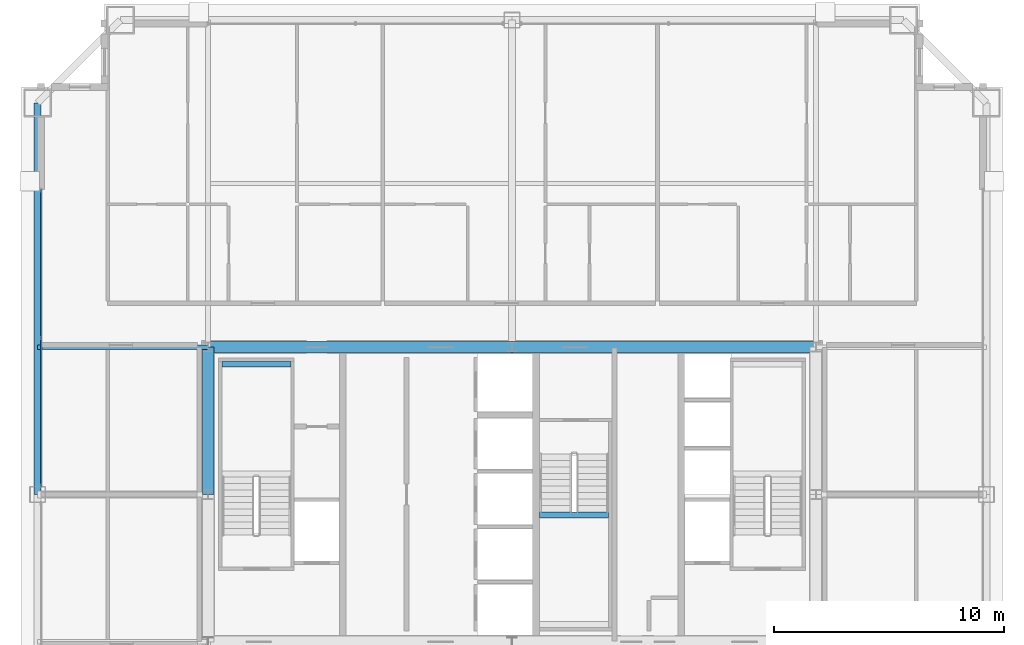
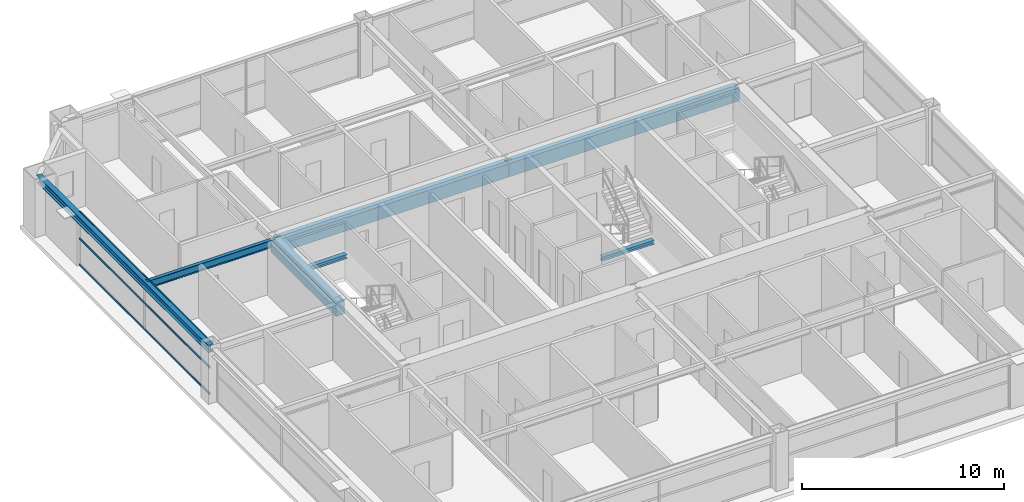
# One storey, part 14 of 37: 7 beams, 3 members, 1 element without a shape of its own.
"""IFC4 building model written with IfcOpenShell, lengths in metres."""

from ifc_helpers import new_model, si_unit, direction, frame, origin, origin_2d, place, context, subcontext, project, spatial, rectangle, hollow_rectangle, i_section, extrude, source, transform, mapped, material, layer, layer_set, material_profile, profile_set, type_object, element, aggregate, save


model = new_model("IFC4")

# Units and contexts
model_context = context("Model", 3, precision=1e-05, world=origin(), true_north=direction((0.0, 1.0)))
body_context = subcontext(model_context, "Body", "Model", "MODEL_VIEW")
ifc_project = project(units=[si_unit("LENGTHUNIT", "METRE"), si_unit("AREAUNIT", "SQUARE_METRE"), si_unit("VOLUMEUNIT", "CUBIC_METRE"), si_unit("PLANEANGLEUNIT", "RADIAN"), si_unit("MASSUNIT", "GRAM", prefix="KILO"), si_unit("THERMODYNAMICTEMPERATUREUNIT", "KELVIN"), si_unit("POWERUNIT", "WATT")], contexts=[model_context])

# Site, building, storey
site_placement = place(None, origin())
site = spatial("IfcSite", under=ifc_project, at=site_placement, CompositionType="ELEMENT")
building_placement = place(site_placement, origin())
building = spatial("IfcBuilding", under=site, at=building_placement, Name="Yuzanri Waterfront Tower", CompositionType="ELEMENT")
storey_placement = place(building_placement, frame((0.0, 0.0, 245.10009765625)))
storey = spatial("IfcBuildingStorey", under=building, at=storey_placement, Name="L65", CompositionType="ELEMENT", Elevation=245.10009765625)

# Beams
ifc_material_1 = material(Name="Concrete C50", Category="concrete")
ifc_material_profile_1 = material_profile(ifc_material_1, rectangle(XDim=0.5, YDim=0.800048828125, at=origin_2d()), Name="RC 500x800")
ifc_profile_set_1 = profile_set([ifc_material_profile_1], Name="Concrete C50")
beam_type_1 = type_object("IfcBeamType", Name="Core Coupling Lintel Concrete C50 500x800", PredefinedType="LINTEL", material=ifc_profile_set_1)
shared_shape_1 = source(origin(), body_context, "Body", "SweptSolid", [
    extrude(rectangle(XDim=0.5, YDim=0.800048828125, at=origin_2d()), origin(), (0.0, 0.0, 1.0), 13.199951171875),
])
for number, where, z_axis, x_axis, name in (
    (1, (23.800048828125, 32.199951171875, 2.8798828125), (1.0, 0.0, 0.0), (0.0, 1.0, 0.0), "L65 Core Tie Beam CN1"),
    (2, (37.0, 32.199951171875, 2.8798828125), (1.0, 0.0, 0.0), (0.0, 1.0, 0.0), "L65 Core Tie Beam CN2"),
):
    element("IfcBeam", number, at=place(storey_placement, frame(where, z_axis=z_axis, x_axis=x_axis)), inside=storey, type_object=beam_type_1, Name=name, PredefinedType="LINTEL", context=body_context, shape_type="MappedRepresentation", body=[
        mapped(shared_shape_1, transform((0.0, 0.0, 0.0), scale=1.0)),
    ])
shared_shape_2 = source(origin(), body_context, "Body", "SweptSolid", [
    extrude(rectangle(XDim=0.5, YDim=0.800048828125, at=origin_2d()), origin(), (0.0, 0.0, 1.0), 6.39990234375),
])
beam_1_placement = place(storey_placement, frame((23.800048828125, 25.800048828125, 2.8798828125), z_axis=(0.0, 1.0, 0.0), x_axis=(-1.0, 0.0, 0.0)))
element("IfcBeam", 3, at=beam_1_placement, inside=storey, type_object=beam_type_1, Name="L65 Core Tie Beam CW2", PredefinedType="LINTEL", context=body_context, shape_type="MappedRepresentation", body=[
    mapped(shared_shape_2, transform((0.0, 0.0, 0.0), scale=1.0)),
])
ifc_material_2 = material(Name="Steel Q355B", Category="steel")
ifc_material_profile_2 = material_profile(ifc_material_2, i_section(OverallWidth=0.300048828125, OverallDepth=0.43994140625, WebThickness=0.010986328125, FlangeThickness=0.01806640625, at=origin_2d()), Name="HM 440x300x11x18")
ifc_profile_set_2 = profile_set([ifc_material_profile_2], Name="Steel Q355B")
beam_type_2 = type_object("IfcBeamType", Name="Perimeter Spandrel Q355B HM 440x300", PredefinedType="SPANDREL", material=ifc_profile_set_2)
shared_shape_3 = source(origin(), body_context, "Body", "SweptSolid", [
    extrude(i_section(OverallWidth=0.300048828125, OverallDepth=0.43994140625, WebThickness=0.010986328125, FlangeThickness=0.01806640625, at=origin_2d()), origin(), (0.0, 0.0, 1.0), 17.0),
])
beam_2_placement = place(storey_placement, frame((16.39990234375, 42.800048828125, 3.059814453125), z_axis=(0.0, -1.0, 0.0), x_axis=(1.0, 0.0, 0.0)))
element("IfcBeam", 4, at=beam_2_placement, inside=storey, type_object=beam_type_2, Name="L65 Perimeter Spandrel W3-W2", PredefinedType="SPANDREL", context=body_context, shape_type="MappedRepresentation", body=[
    mapped(shared_shape_3, transform((0.0, 0.0, 0.0), scale=1.0)),
])
ifc_material_3 = material(Name="Steel Q355B", Category="steel")
ifc_material_profile_3 = material_profile(ifc_material_3, i_section(OverallWidth=0.199951171875, OverallDepth=0.449951171875, WebThickness=0.009033203125, FlangeThickness=0.013916015625, at=origin_2d()), Name="HN 450x200x9x14")
ifc_profile_set_3 = profile_set([ifc_material_profile_3], Name="Steel Q355B")
beam_type_3 = type_object("IfcBeamType", Name="Secondary Floor Beam Q355B HN 450x200", PredefinedType="BEAM", material=ifc_profile_set_3)
shared_shape_4 = source(origin(), body_context, "Body", "SweptSolid", [
    extrude(i_section(OverallWidth=0.199951171875, OverallDepth=0.449951171875, WebThickness=0.009033203125, FlangeThickness=0.013916015625, at=origin_2d()), origin(), (0.0, 0.0, 1.0), 7.400146484375),
])
beam_3_placement = place(storey_placement, frame((23.800048828125, 32.199951171875, 3.054931640625), z_axis=(-1.0, 0.0, 0.0), x_axis=(0.0, -1.0, 0.0)))
element("IfcBeam", 5, at=beam_3_placement, inside=storey, type_object=beam_type_3, Name="L65 West-North Core Line Beam", PredefinedType="BEAM", context=body_context, shape_type="MappedRepresentation", body=[
    mapped(shared_shape_4, transform((0.0, 0.0, 0.0), scale=1.0)),
])

# Curtain wall, members
ifc_material_4 = material(Name="Anodized Architectural Bronze", Category="metal")
ifc_layer = layer(ifc_material_4, 0.159912109375)
ifc_layer_set = layer_set([ifc_layer], Name="Anodized Architectural Bronze")
curtain_wall_type = type_object("IfcCurtainWallType", Name="Anodized Bronze Mid-Rise Residential Acoustic Unitized Curtain Wall 7200", PredefinedType="NOTDEFINED", material=ifc_layer_set)
curtain_wall_placement = place(storey_placement, origin())
curtain_wall = element("IfcCurtainWall", 6, at=curtain_wall_placement, inside=storey, type_object=curtain_wall_type, Name="L65 Curtain Wall CW-L65-WR", PredefinedType="NOTDEFINED")
ifc_material_5 = material(Name="Anodized Architectural Bronze", Category="metal")
ifc_material_profile_4 = material_profile(ifc_material_5, hollow_rectangle(XDim=0.06494140625, YDim=0.1201171875, WallThickness=0.00341796875, at=origin_2d()), Name="CWT 65x120")
ifc_profile_set_4 = profile_set([ifc_material_profile_4], Name="Anodized Architectural Bronze")
member_type = type_object("IfcMemberType", Name="Anodized Bronze Secondary Curtain-Wall Transom 65x120", PredefinedType="USERDEFINED", material=ifc_profile_set_4)
shared_shape_5 = source(origin(), body_context, "Body", "SweptSolid", [
    extrude(hollow_rectangle(XDim=0.06494140625, YDim=0.1201171875, WallThickness=0.00341796875, at=origin_2d()), origin(), (0.0, 0.0, 1.0), 12.900146484375),
])
member_1_placement = place(storey_placement, frame((16.550048828125, 26.14990234375, 0.0498046875), z_axis=(0.0, 1.0, 0.0), x_axis=(-1.0, 0.0, 0.0)))
member_1 = element("IfcMember", 7, at=member_1_placement, type_object=member_type, Name="CW-L65-WR Transom 1", ObjectType="TRANSOM", PredefinedType="USERDEFINED", context=body_context, shape_type="MappedRepresentation", body=[
    mapped(shared_shape_5, transform((0.0, 0.0, 0.0), scale=1.0)),
])
member_2_placement = place(storey_placement, frame((16.550048828125, 26.14990234375, 1.639892578125), z_axis=(0.0, 1.0, 0.0), x_axis=(-1.0, 0.0, 0.0)))
member_2 = element("IfcMember", 8, at=member_2_placement, type_object=member_type, Name="CW-L65-WR Transom 2", ObjectType="TRANSOM", PredefinedType="USERDEFINED", context=body_context, shape_type="MappedRepresentation", body=[
    mapped(shared_shape_5, transform((0.0, 0.0, 0.0), scale=1.0)),
])
member_3_placement = place(storey_placement, frame((16.550048828125, 26.14990234375, 3.22998046875), z_axis=(0.0, 1.0, 0.0), x_axis=(-1.0, 0.0, 0.0)))
member_3 = element("IfcMember", 9, at=member_3_placement, type_object=member_type, Name="CW-L65-WR Transom 3", ObjectType="TRANSOM", PredefinedType="USERDEFINED", context=body_context, shape_type="MappedRepresentation", body=[
    mapped(shared_shape_5, transform((0.0, 0.0, 0.0), scale=1.0)),
])
aggregate(curtain_wall, [member_1, member_2, member_3])

# Beams
ifc_material_6 = material(Name="Steel Q355B", Category="steel")
ifc_material_profile_5 = material_profile(ifc_material_6, i_section(OverallWidth=0.25, OverallDepth=0.25, WebThickness=0.009033203125, FlangeThickness=0.013916015625, at=origin_2d()), Name="HW 250x250x9x14")
ifc_profile_set_5 = profile_set([ifc_material_profile_5], Name="Steel Q355B")
beam_type_4 = type_object("IfcBeamType", Name="Stair Landing Support Beam Q355B HW 250x250", PredefinedType="BEAM", material=ifc_profile_set_5)
shared_shape_6 = source(origin(), body_context, "Body", "SweptSolid", [
    extrude(i_section(OverallWidth=0.25, OverallDepth=0.25, WebThickness=0.009033203125, FlangeThickness=0.013916015625, at=origin_2d()), origin(), (0.0, 0.0, 1.0), 3.0),
])
for number, where, z_axis, x_axis, name in (
    (10, (24.39990234375, 31.449951171875, 1.4248046875), (1.0, 0.0, 0.0), (0.0, 1.0, 0.0), "L65 Stair Landing Support Beam ST-01-L65-L1-2"),
    (11, (38.199951171875, 24.909912109375, 1.4248046875), (1.0, 0.0, 0.0), (0.0, 1.0, 0.0), "L65 Stair Landing Support Beam ST-03-L65-L1-2"),
):
    element("IfcBeam", number, at=place(storey_placement, frame(where, z_axis=z_axis, x_axis=x_axis)), inside=storey, type_object=beam_type_4, Name=name, PredefinedType="BEAM", context=body_context, shape_type="MappedRepresentation", body=[
        mapped(shared_shape_6, transform((0.0, 0.0, 0.0), scale=1.0)),
    ])

save(model, "model.ifc")
